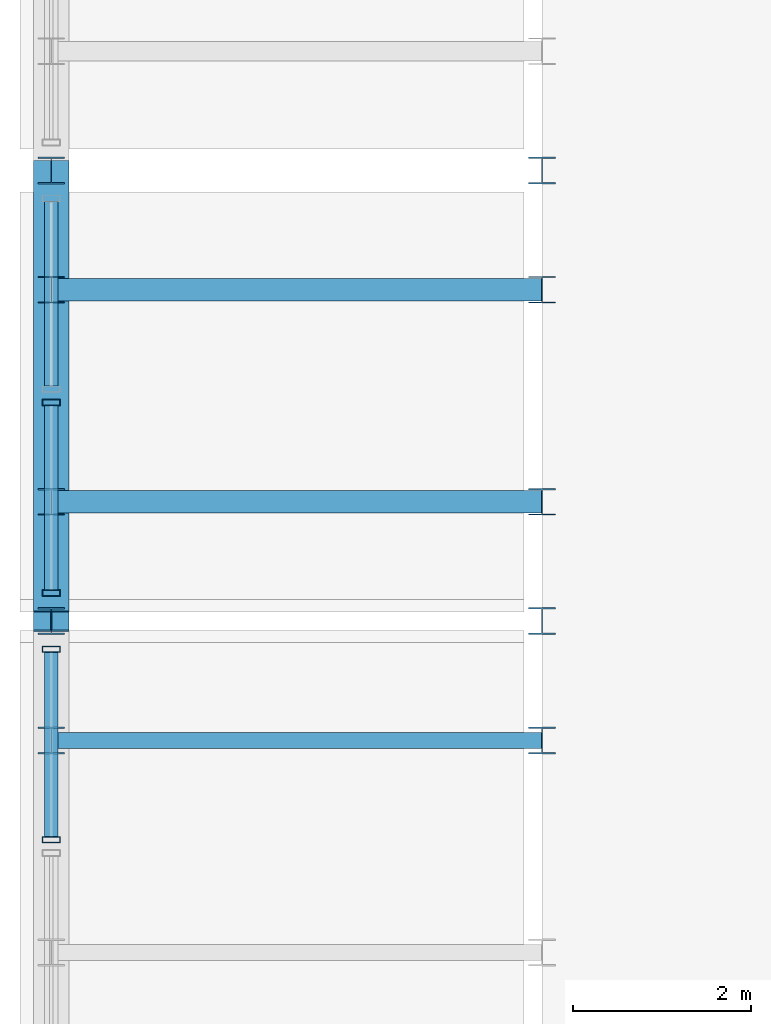
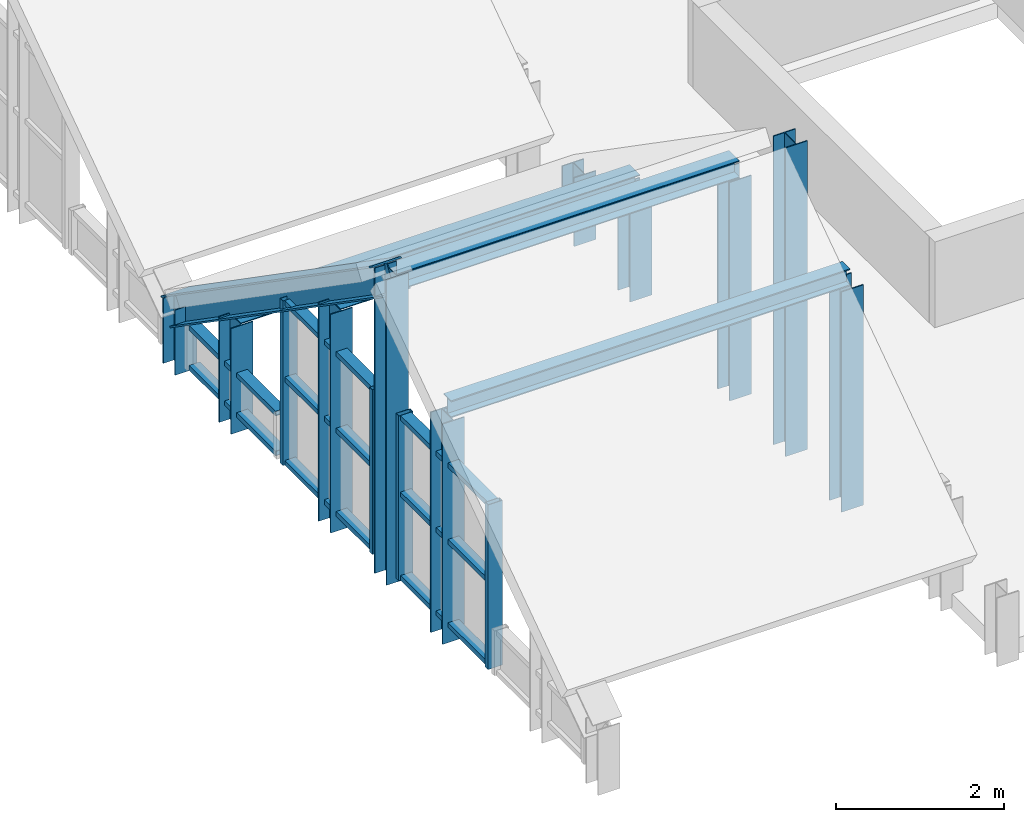
# One storey, part 3 of 21: 26 members, 3 elements without a shape of their own.
"""IFC4 building model written with IfcOpenShell, lengths in metres."""

from ifc_helpers import new_model, si_unit, direction, frame, origin, origin_2d, place, context, subcontext, project, spatial, hollow_rectangle, i_section, extrude, source, transform, mapped, material, layer, layer_set, material_profile, profile_set, type_object, element, aggregate, save


model = new_model("IFC4")

# Units and contexts
model_context = context("Model", 3, precision=1e-05, world=origin(), true_north=direction((0.0, 1.0)))
body_context = subcontext(model_context, "Body", "Model", "MODEL_VIEW")
ifc_project = project(units=[si_unit("LENGTHUNIT", "METRE"), si_unit("AREAUNIT", "SQUARE_METRE"), si_unit("VOLUMEUNIT", "CUBIC_METRE"), si_unit("PLANEANGLEUNIT", "RADIAN"), si_unit("MASSUNIT", "GRAM", prefix="KILO")], contexts=[model_context])

# Site, building, storey
site_placement = place(None, origin())
site = spatial("IfcSite", under=ifc_project, at=site_placement, CompositionType="ELEMENT")
building_placement = place(site_placement, origin())
building = spatial("IfcBuilding", under=site, at=building_placement, Name="Saelheon Loggia Tower", CompositionType="ELEMENT")
storey_placement = place(building_placement, frame((0.0, 0.0, 275.0)))
storey = spatial("IfcBuildingStorey", under=building, at=storey_placement, Name="ROOF", CompositionType="ELEMENT", Elevation=275.0)

# Members
ifc_material_1 = material(Name="Steel SM355", Category="steel")
ifc_material_profile_1 = material_profile(ifc_material_1, i_section(OverallWidth=0.300048828125, OverallDepth=0.300048828125, WebThickness=0.010009765625, FlangeThickness=0.014892578125, at=origin_2d()), Name="H-300x300x10x15")
ifc_profile_set_1 = profile_set([ifc_material_profile_1], Name="Steel SM355")
member_type_1 = type_object("IfcMemberType", Name="WaveCrest_Post_H300", PredefinedType="POST", material=ifc_profile_set_1)
shared_shape_1 = source(origin(), body_context, "Body", "SweptSolid", [
    extrude(i_section(OverallWidth=0.300048828125, OverallDepth=0.300048828125, WebThickness=0.010009765625, FlangeThickness=0.014892578125, at=origin_2d()), origin(), (0.0, 0.0, 1.0), 0.949951171875),
])
member_1_placement = place(storey_placement, frame((23.35009765625, 21.949951171875, -0.14990234375), z_axis=(0.0, 0.0, 1.0), x_axis=(1.0, 0.0, 0.0)))
element("IfcMember", 1, at=member_1_placement, inside=storey, type_object=member_type_1, Name="ROOF Wave Crest Outer Post W 02", PredefinedType="POST", context=body_context, shape_type="MappedRepresentation", body=[
    mapped(shared_shape_1, transform((0.0, 0.0, 0.0), scale=1.0)),
])
ifc_material_profile_2 = material_profile(ifc_material_1, i_section(OverallWidth=0.300048828125, OverallDepth=0.300048828125, WebThickness=0.010009765625, FlangeThickness=0.014892578125, at=origin_2d()), Name="H-300x300x10x15")
ifc_profile_set_2 = profile_set([ifc_material_profile_2], Name="Steel SM355")
member_type_2 = type_object("IfcMemberType", Name="Belt_Post_H300", PredefinedType="POST", material=ifc_profile_set_2)
shared_shape_2 = source(origin(), body_context, "Body", "SweptSolid", [
    extrude(i_section(OverallWidth=0.300048828125, OverallDepth=0.300048828125, WebThickness=0.010009765625, FlangeThickness=0.014892578125, at=origin_2d()), origin(), (0.0, 0.0, 1.0), 1.0),
])
member_2_placement = place(storey_placement, frame((28.85009765625, 21.949951171875, -0.199951171875), z_axis=(0.0, 0.0, 1.0), x_axis=(1.0, 0.0, 0.0)))
element("IfcMember", 2, at=member_2_placement, inside=storey, type_object=member_type_2, Name="ROOF Wave Crest Inner Post W 02", PredefinedType="POST", context=body_context, shape_type="MappedRepresentation", body=[
    mapped(shared_shape_2, transform((0.0, 0.0, 0.0), scale=1.0)),
])
shared_shape_3 = source(origin(), body_context, "Body", "SweptSolid", [
    extrude(i_section(OverallWidth=0.300048828125, OverallDepth=0.300048828125, WebThickness=0.010009765625, FlangeThickness=0.014892578125, at=origin_2d()), origin(), (0.0, 0.0, 1.0), 4.449951171875),
])
member_3_placement = place(storey_placement, frame((23.35009765625, 16.89990234375, -0.14990234375), z_axis=(0.0, 0.0, 1.0), x_axis=(1.0, 0.0, 0.0)))
element("IfcMember", 3, at=member_3_placement, inside=storey, type_object=member_type_1, Name="ROOF Wave Crest Outer Post W 01", PredefinedType="POST", context=body_context, shape_type="MappedRepresentation", body=[
    mapped(shared_shape_3, transform((0.0, 0.0, 0.0), scale=1.0)),
])
shared_shape_4 = source(origin(), body_context, "Body", "SweptSolid", [
    extrude(i_section(OverallWidth=0.300048828125, OverallDepth=0.300048828125, WebThickness=0.010009765625, FlangeThickness=0.014892578125, at=origin_2d()), origin(), (0.0, 0.0, 1.0), 4.5),
])
member_4_placement = place(storey_placement, frame((28.85009765625, 16.89990234375, -0.199951171875), z_axis=(0.0, 0.0, 1.0), x_axis=(1.0, 0.0, 0.0)))
element("IfcMember", 4, at=member_4_placement, inside=storey, type_object=member_type_2, Name="ROOF Wave Crest Inner Post W 01", PredefinedType="POST", context=body_context, shape_type="MappedRepresentation", body=[
    mapped(shared_shape_4, transform((0.0, 0.0, 0.0), scale=1.0)),
])
ifc_material_profile_3 = material_profile(ifc_material_1, i_section(OverallWidth=0.179931640625, OverallDepth=0.25, WebThickness=0.010009765625, FlangeThickness=0.01611328125, at=origin_2d()), Name="H-250x180x10x16")
ifc_profile_set_3 = profile_set([ifc_material_profile_3], Name="Steel SM355")
member_type_3 = type_object("IfcMemberType", Name="Roof_Purlin_RHS250", PredefinedType="PURLIN", material=ifc_profile_set_3)
shared_shape_5 = source(origin(), body_context, "Body", "SweptSolid", [
    extrude(i_section(OverallWidth=0.179931640625, OverallDepth=0.25, WebThickness=0.010009765625, FlangeThickness=0.01611328125, at=origin_2d()), origin(), (0.0, 0.0, 1.0), 5.5),
])
member_5_placement = place(storey_placement, frame((23.35009765625, 15.563232421875, 3.135986328125), z_axis=(1.0, 0.0, 0.0), x_axis=(0.0, 1.0, 0.0)))
element("IfcMember", 5, at=member_5_placement, inside=storey, type_object=member_type_3, Name="Crown Wave Roof Purlin 01 B", PredefinedType="PURLIN", context=body_context, shape_type="MappedRepresentation", body=[
    mapped(shared_shape_5, transform((0.0, 0.0, 0.0), scale=1.0)),
])
shared_shape_6 = source(origin(), body_context, "Body", "SweptSolid", [
    extrude(i_section(OverallWidth=0.300048828125, OverallDepth=0.300048828125, WebThickness=0.010009765625, FlangeThickness=0.014892578125, at=origin_2d()), origin(), (0.0, 0.0, 1.0), 3.2109375),
])
for number, where, z_axis, x_axis, name in (
    (6, (23.35009765625, 15.563232421875, -0.199951171875), (0.0, 0.0, 1.0), (1.0, 0.0, 0.0), "Crown Wave Roof Purlin Support Post 01 B O"),
    (7, (28.85009765625, 15.563232421875, -0.199951171875), (0.0, 0.0, 1.0), (1.0, 0.0, 0.0), "Crown Wave Roof Purlin Support Post 01 B I"),
):
    element("IfcMember", number, at=place(storey_placement, frame(where, z_axis=z_axis, x_axis=x_axis)), inside=storey, type_object=member_type_2, Name=name, PredefinedType="POST", context=body_context, shape_type="MappedRepresentation", body=[
        mapped(shared_shape_6, transform((0.0, 0.0, 0.0), scale=1.0)),
    ])
ifc_material_profile_4 = material_profile(ifc_material_1, i_section(OverallWidth=0.25, OverallDepth=0.25, WebThickness=0.009033203125, FlangeThickness=0.013916015625, at=origin_2d()), Name="H-250x250x9x14")
ifc_profile_set_4 = profile_set([ifc_material_profile_4], Name="Steel SM355")
member_type_4 = type_object("IfcMemberType", Name="Roof_Purlin_H250", PredefinedType="PURLIN", material=ifc_profile_set_4)
shared_shape_7 = source(origin(), body_context, "Body", "SweptSolid", [
    extrude(i_section(OverallWidth=0.25, OverallDepth=0.25, WebThickness=0.009033203125, FlangeThickness=0.013916015625, at=origin_2d()), origin(), (0.0, 0.0, 1.0), 5.5),
])
for number, where, z_axis, x_axis, name in (
    (8, (23.35009765625, 18.23681640625, 3.11181640625), (1.0, 0.0, 0.0), (0.0, 1.0, 0.0), "Crown Wave Roof Purlin 02 A"),
    (9, (23.35009765625, 20.61328125, 1.46484375), (1.0, 0.0, 0.0), (0.0, 1.0, 0.0), "Crown Wave Roof Purlin 02 B"),
):
    element("IfcMember", number, at=place(storey_placement, frame(where, z_axis=z_axis, x_axis=x_axis)), inside=storey, type_object=member_type_4, Name=name, PredefinedType="PURLIN", context=body_context, shape_type="MappedRepresentation", body=[
        mapped(shared_shape_7, transform((0.0, 0.0, 0.0), scale=1.0)),
    ])
shared_shape_8 = source(origin(), body_context, "Body", "SweptSolid", [
    extrude(i_section(OverallWidth=0.300048828125, OverallDepth=0.300048828125, WebThickness=0.010009765625, FlangeThickness=0.014892578125, at=origin_2d()), origin(), (0.0, 0.0, 1.0), 3.186767578125),
])
for number, where, z_axis, x_axis, name in (
    (10, (23.35009765625, 18.23681640625, -0.199951171875), (0.0, 0.0, 1.0), (1.0, 0.0, 0.0), "Crown Wave Roof Purlin Support Post 02 A O"),
    (11, (28.85009765625, 18.23681640625, -0.199951171875), (0.0, 0.0, 1.0), (1.0, 0.0, 0.0), "Crown Wave Roof Purlin Support Post 02 A I"),
):
    element("IfcMember", number, at=place(storey_placement, frame(where, z_axis=z_axis, x_axis=x_axis)), inside=storey, type_object=member_type_2, Name=name, PredefinedType="POST", context=body_context, shape_type="MappedRepresentation", body=[
        mapped(shared_shape_8, transform((0.0, 0.0, 0.0), scale=1.0)),
    ])
shared_shape_9 = source(origin(), body_context, "Body", "SweptSolid", [
    extrude(i_section(OverallWidth=0.300048828125, OverallDepth=0.300048828125, WebThickness=0.010009765625, FlangeThickness=0.014892578125, at=origin_2d()), origin(), (0.0, 0.0, 1.0), 1.539794921875),
])
for number, where, z_axis, x_axis, name in (
    (12, (23.35009765625, 20.61328125, -0.199951171875), (0.0, 0.0, 1.0), (1.0, 0.0, 0.0), "Crown Wave Roof Purlin Support Post 02 B O"),
    (13, (28.85009765625, 20.61328125, -0.199951171875), (0.0, 0.0, 1.0), (1.0, 0.0, 0.0), "Crown Wave Roof Purlin Support Post 02 B I"),
):
    element("IfcMember", number, at=place(storey_placement, frame(where, z_axis=z_axis, x_axis=x_axis)), inside=storey, type_object=member_type_2, Name=name, PredefinedType="POST", context=body_context, shape_type="MappedRepresentation", body=[
        mapped(shared_shape_9, transform((0.0, 0.0, 0.0), scale=1.0)),
    ])
ifc_material_profile_5 = material_profile(ifc_material_1, i_section(OverallWidth=0.39990234375, OverallDepth=0.39990234375, WebThickness=0.012939453125, FlangeThickness=0.02099609375, at=origin_2d()), Name="H-400x400x13x21")
ifc_profile_set_5 = profile_set([ifc_material_profile_5], Name="Steel SM355")
member_type_5 = type_object("IfcMemberType", Name="CrownFrame_Brace_H400", PredefinedType="BRACE", material=ifc_profile_set_5)
shared_shape_10 = source(origin(), body_context, "Body", "SweptSolid", [
    extrude(i_section(OverallWidth=0.39990234375, OverallDepth=0.39990234375, WebThickness=0.012939453125, FlangeThickness=0.02099609375, at=origin_2d()), origin(), (0.0, 0.0, 1.0), 6.144287109375),
])
member_6_placement = place(storey_placement, frame((23.35009765625, 16.89990234375, 4.199951171875), z_axis=(0.0, 0.821901707203, -0.569629338867), x_axis=(-1.0, 0.0, 0.0)))
element("IfcMember", 14, at=member_6_placement, inside=storey, type_object=member_type_5, Name="ROOF CROWN FRAME Wave Crest Cap W 02", PredefinedType="BRACE", context=body_context, shape_type="MappedRepresentation", body=[
    mapped(shared_shape_10, transform((0.0, 0.0, 0.0), scale=1.0)),
])

# Curtain wall, members
ifc_material_2 = material(Name="Bronze-Anodised Aluminium and Fritted Ceramic Screen", Category="aluminium")
ifc_layer = layer(ifc_material_2, 0.219970703125)
ifc_layer_set = layer_set([ifc_layer], Name="Bronze-Anodised Aluminium and Fritted Ceramic Screen")
curtain_wall_type = type_object("IfcCurtainWallType", Name="CW_CrownScreen", PredefinedType="NOTDEFINED", material=ifc_layer_set)
curtain_wall_1_placement = place(storey_placement, origin())
curtain_wall_1 = element("IfcCurtainWall", 15, at=curtain_wall_1_placement, inside=storey, type_object=curtain_wall_type, Name="ROOF Wave Crest Curtain Wall W 01-2", PredefinedType="NOTDEFINED")
ifc_material_3 = material(Name="Bronze-Anodised Aluminium 6063-T6", Category="aluminium")
ifc_material_profile_6 = material_profile(ifc_material_3, hollow_rectangle(XDim=0.070068359375, YDim=0.14990234375, WallThickness=0.0048828125, at=origin_2d()), Name="RHS-150x70x5")
ifc_profile_set_6 = profile_set([ifc_material_profile_6], Name="Bronze-Anodised Aluminium 6063-T6")
member_type_6 = type_object("IfcMemberType", Name="CW_CrownScreen_Transom", PredefinedType="USERDEFINED", material=ifc_profile_set_6)
shared_shape_11 = source(origin(), body_context, "Body", "SweptSolid", [
    extrude(hollow_rectangle(XDim=0.070068359375, YDim=0.14990234375, WallThickness=0.0048828125, at=origin_2d()), origin(), (0.0, 0.0, 1.0), 2.06494140625),
])
member_7_placement = place(storey_placement, frame((23.35009765625, 14.485107421875, 0.054931640625), z_axis=(0.0, 1.0, 0.0), x_axis=(0.0, 0.0, 1.0)))
member_7 = element("IfcMember", 16, at=member_7_placement, type_object=member_type_6, Name="CW6 transom 1.1", ObjectType="TRANSOM", PredefinedType="USERDEFINED", context=body_context, shape_type="MappedRepresentation", body=[
    mapped(shared_shape_11, transform((0.0, 0.0, 0.0), scale=1.0)),
])
member_8_placement = place(storey_placement, frame((23.35009765625, 14.485107421875, 1.27001953125), z_axis=(0.0, 1.0, 0.0), x_axis=(0.0, 0.0, 1.0)))
member_8 = element("IfcMember", 17, at=member_8_placement, type_object=member_type_6, Name="CW6 transom 1.2", ObjectType="TRANSOM", PredefinedType="USERDEFINED", context=body_context, shape_type="MappedRepresentation", body=[
    mapped(shared_shape_11, transform((0.0, 0.0, 0.0), scale=1.0)),
])
member_9_placement = place(storey_placement, frame((23.35009765625, 14.485107421875, 2.385009765625), z_axis=(0.0, 1.0, 0.0), x_axis=(0.0, 0.0, 1.0)))
member_9 = element("IfcMember", 18, at=member_9_placement, type_object=member_type_6, Name="CW6 transom 1.3", ObjectType="TRANSOM", PredefinedType="USERDEFINED", context=body_context, shape_type="MappedRepresentation", body=[
    mapped(shared_shape_11, transform((0.0, 0.0, 0.0), scale=1.0)),
])

curtain_wall_2_placement = place(storey_placement, origin())
curtain_wall_2 = element("IfcCurtainWall", 19, at=curtain_wall_2_placement, inside=storey, type_object=curtain_wall_type, Name="ROOF Wave Crest Curtain Wall W 02-1", PredefinedType="NOTDEFINED")
member_10_placement = place(storey_placement, frame((23.35009765625, 17.25, 0.054931640625), z_axis=(0.0, 1.0, 0.0), x_axis=(0.0, 0.0, 1.0)))
member_10 = element("IfcMember", 20, at=member_10_placement, type_object=member_type_6, Name="CW6 transom 1.1", ObjectType="TRANSOM", PredefinedType="USERDEFINED", context=body_context, shape_type="MappedRepresentation", body=[
    mapped(shared_shape_11, transform((0.0, 0.0, 0.0), scale=1.0)),
])
member_11_placement = place(storey_placement, frame((23.35009765625, 17.25, 1.27001953125), z_axis=(0.0, 1.0, 0.0), x_axis=(0.0, 0.0, 1.0)))
member_11 = element("IfcMember", 21, at=member_11_placement, type_object=member_type_6, Name="CW6 transom 1.2", ObjectType="TRANSOM", PredefinedType="USERDEFINED", context=body_context, shape_type="MappedRepresentation", body=[
    mapped(shared_shape_11, transform((0.0, 0.0, 0.0), scale=1.0)),
])
member_12_placement = place(storey_placement, frame((23.35009765625, 17.25, 2.385009765625), z_axis=(0.0, 1.0, 0.0), x_axis=(0.0, 0.0, 1.0)))
member_12 = element("IfcMember", 22, at=member_12_placement, type_object=member_type_6, Name="CW6 transom 1.3", ObjectType="TRANSOM", PredefinedType="USERDEFINED", context=body_context, shape_type="MappedRepresentation", body=[
    mapped(shared_shape_11, transform((0.0, 0.0, 0.0), scale=1.0)),
])

# Member
ifc_material_profile_7 = material_profile(ifc_material_3, hollow_rectangle(XDim=0.070068359375, YDim=0.199951171875, WallThickness=0.0048828125, at=origin_2d()), Name="RHS-200x70x5")
ifc_profile_set_7 = profile_set([ifc_material_profile_7], Name="Bronze-Anodised Aluminium 6063-T6")
member_type_7 = type_object("IfcMemberType", Name="CW_CrownScreen_Mullion", PredefinedType="MULLION", material=ifc_profile_set_7)
shared_shape_12 = source(origin(), body_context, "Body", "SweptSolid", [
    extrude(hollow_rectangle(XDim=0.070068359375, YDim=0.199951171875, WallThickness=0.0048828125, at=origin_2d()), origin(), (0.0, 0.0, 1.0), 2.39990234375),
])
member_13_placement = place(storey_placement, frame((23.35009765625, 14.449951171875, 0.02001953125), z_axis=(0.0, 0.0, 1.0), x_axis=(0.0, 1.0, 0.0)))
member_13 = element("IfcMember", 23, at=member_13_placement, type_object=member_type_7, Name="CW6 mullion 1", PredefinedType="MULLION", context=body_context, shape_type="MappedRepresentation", body=[
    mapped(shared_shape_12, transform((0.0, 0.0, 0.0), scale=1.0)),
])

member_14_placement = place(storey_placement, frame((23.35009765625, 16.5849609375, 0.02001953125), z_axis=(0.0, 0.0, 1.0), x_axis=(0.0, 1.0, 0.0)))
member_14 = element("IfcMember", 24, at=member_14_placement, type_object=member_type_7, Name="CW6 mullion 2", PredefinedType="MULLION", context=body_context, shape_type="MappedRepresentation", body=[
    mapped(shared_shape_12, transform((0.0, 0.0, 0.0), scale=1.0)),
])

aggregate(curtain_wall_1, [member_13, member_14, member_7, member_8, member_9])

member_15_placement = place(storey_placement, frame((23.35009765625, 17.215087890625, 0.02001953125), z_axis=(0.0, 0.0, 1.0), x_axis=(0.0, 1.0, 0.0)))
member_15 = element("IfcMember", 25, at=member_15_placement, type_object=member_type_7, Name="CW6 mullion 1", PredefinedType="MULLION", context=body_context, shape_type="MappedRepresentation", body=[
    mapped(shared_shape_12, transform((0.0, 0.0, 0.0), scale=1.0)),
])

member_16_placement = place(storey_placement, frame((23.35009765625, 19.35009765625, 0.02001953125), z_axis=(0.0, 0.0, 1.0), x_axis=(0.0, 1.0, 0.0)))
member_16 = element("IfcMember", 26, at=member_16_placement, type_object=member_type_7, Name="CW6 mullion 2", PredefinedType="MULLION", context=body_context, shape_type="MappedRepresentation", body=[
    mapped(shared_shape_12, transform((0.0, 0.0, 0.0), scale=1.0)),
])

aggregate(curtain_wall_2, [member_15, member_16, member_10, member_11, member_12])

# Curtain wall, members
curtain_wall_3_placement = place(storey_placement, origin())
curtain_wall_3 = element("IfcCurtainWall", 27, at=curtain_wall_3_placement, inside=storey, type_object=curtain_wall_type, Name="ROOF Wave Crest Curtain Wall W 02-2", PredefinedType="NOTDEFINED")
shared_shape_13 = source(origin(), body_context, "Body", "SweptSolid", [
    extrude(hollow_rectangle(XDim=0.070068359375, YDim=0.14990234375, WallThickness=0.0048828125, at=origin_2d()), origin(), (0.0, 0.0, 1.0), 2.065185546875),
])
member_17_placement = place(storey_placement, frame((23.35009765625, 19.534912109375, 0.054931640625), z_axis=(0.0, 1.0, 0.0), x_axis=(0.0, 0.0, 1.0)))
member_17 = element("IfcMember", 28, at=member_17_placement, type_object=member_type_6, Name="CW6 transom 1.1", ObjectType="TRANSOM", PredefinedType="USERDEFINED", context=body_context, shape_type="MappedRepresentation", body=[
    mapped(shared_shape_13, transform((0.0, 0.0, 0.0), scale=1.0)),
])
member_18_placement = place(storey_placement, frame((23.35009765625, 19.534912109375, 0.635009765625), z_axis=(0.0, 1.0, 0.0), x_axis=(0.0, 0.0, 1.0)))
member_18 = element("IfcMember", 29, at=member_18_placement, type_object=member_type_6, Name="CW6 transom 1.2", ObjectType="TRANSOM", PredefinedType="USERDEFINED", context=body_context, shape_type="MappedRepresentation", body=[
    mapped(shared_shape_13, transform((0.0, 0.0, 0.0), scale=1.0)),
])
aggregate(curtain_wall_3, [member_17, member_18])

save(model, "model.ifc")
